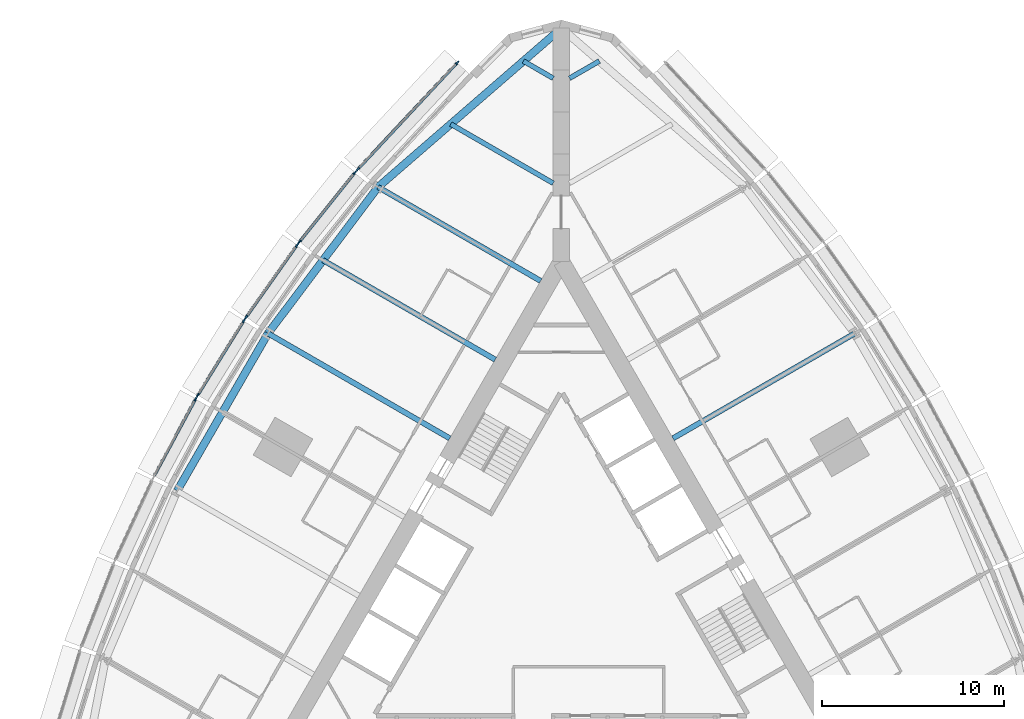
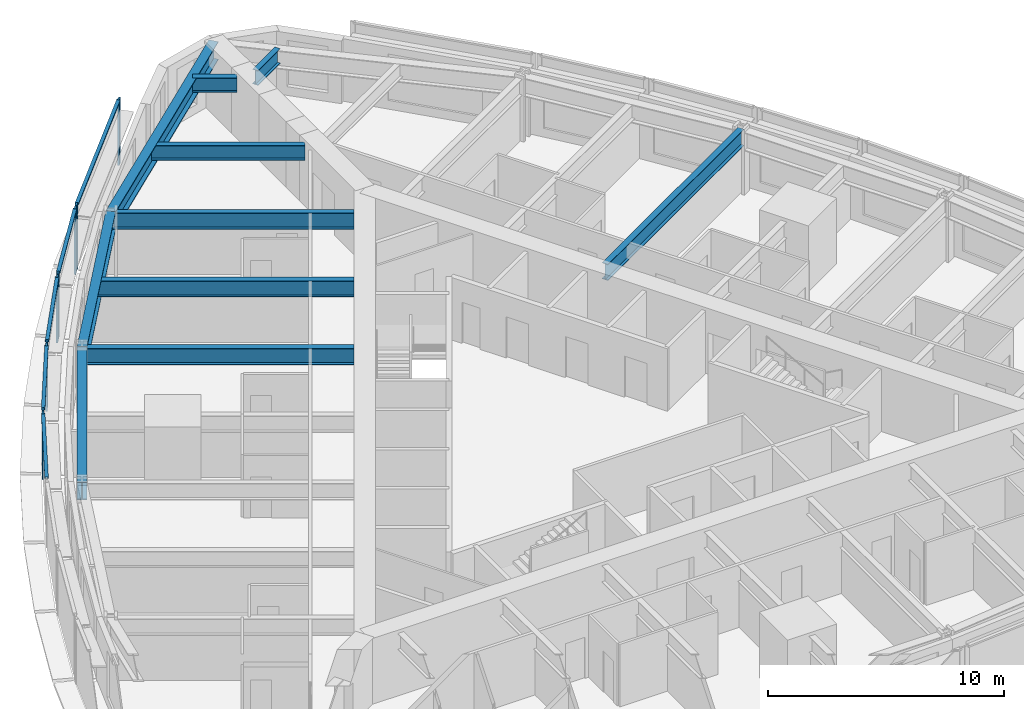
# One storey, part 4 of 14: 14 members, 10 beams, 5 elements without a shape of their own.
"""IFC4 building model written with IfcOpenShell, lengths in metres."""

from ifc_helpers import new_model, si_unit, direction, frame, origin, origin_2d, place, context, subcontext, project, spatial, rectangle, i_section, extrude, material, material_profile, profile_set, type_object, element, aggregate, save


model = new_model("IFC4")

# Units and contexts
model_context = context("Model", 3, precision=1e-05, world=origin(), true_north=direction((0.0, 1.0)))
body_context = subcontext(model_context, "Body", "Model", "MODEL_VIEW")
ifc_project = project(units=[si_unit("LENGTHUNIT", "METRE"), si_unit("AREAUNIT", "SQUARE_METRE"), si_unit("VOLUMEUNIT", "CUBIC_METRE"), si_unit("PLANEANGLEUNIT", "RADIAN"), si_unit("MASSUNIT", "GRAM", prefix="KILO")], contexts=[model_context])

# Site, building, storey
site_placement = place(None, origin())
site = spatial("IfcSite", under=ifc_project, at=site_placement, CompositionType="ELEMENT")
building_placement = place(site_placement, origin())
building = spatial("IfcBuilding", under=site, at=building_placement, Name="Trikona Tower", CompositionType="ELEMENT")
storey_placement = place(building_placement, frame((0.0, 0.0, 35.300048828125)))
storey = spatial("IfcBuildingStorey", under=building, at=storey_placement, Name="L07", CompositionType="ELEMENT", Elevation=35.300048828125)

# Curtain wall, members
ifc_material_1 = material(Name="Aluminium curtain wall system", Category="aluminium")
curtain_wall_type = type_object("IfcCurtainWallType", Name="Curtain wall DS1", PredefinedType="NOTDEFINED", material=ifc_material_1)
curtain_wall_1_placement = place(storey_placement, origin())
curtain_wall_1 = element("IfcCurtainWall", 1, at=curtain_wall_1_placement, inside=storey, type_object=curtain_wall_type, Name="Curtain wall DS1 L07", PredefinedType="NOTDEFINED")
ifc_material_2 = material(Name="Aluminium mullion, pale anodised", Category="aluminium")
ifc_material_profile_1 = material_profile(ifc_material_2, rectangle(XDim=0.080078125, YDim=0.219970703125, at=origin_2d()), Name="MUL-DS1")
ifc_profile_set_1 = profile_set([ifc_material_profile_1], Name="Aluminium mullion, pale anodised")
member_type_1 = type_object("IfcMemberType", Name="Mullion DS1 80x220", PredefinedType="MULLION", material=ifc_profile_set_1)
member_1_placement = place(storey_placement, frame((-5.72607421875, 29.98583984375, 0.0), z_axis=(0.0, 0.0, 1.0), x_axis=(0.731076639405, -0.682295351967, 0.0)))
member_1 = element("IfcMember", 2, at=member_1_placement, type_object=member_type_1, Name="CW-DS1 mullion 1", PredefinedType="MULLION", context=body_context, shape_type="SweptSolid", body=[
    extrude(rectangle(XDim=0.080078125, YDim=0.219970703125, at=origin_2d()), origin(), (0.0, 0.0, 1.0), 3.39990234375),
])
member_2_placement = place(storey_placement, frame((-11.192138671875, 24.129150390625, 0.0), z_axis=(0.0, 0.0, 1.0), x_axis=(0.731076639405, -0.682295351967, 0.0)))
member_2 = element("IfcMember", 3, at=member_2_placement, type_object=member_type_1, Name="CW-DS1 mullion 2", PredefinedType="MULLION", context=body_context, shape_type="SweptSolid", body=[
    extrude(rectangle(XDim=0.080078125, YDim=0.219970703125, at=origin_2d()), origin(), (0.0, 0.0, 1.0), 3.39990234375),
])

curtain_wall_2_placement = place(storey_placement, origin())
curtain_wall_2 = element("IfcCurtainWall", 4, at=curtain_wall_2_placement, inside=storey, type_object=curtain_wall_type, Name="Curtain wall DS1 L07", PredefinedType="NOTDEFINED")
member_3_placement = place(storey_placement, frame((-11.36767578125, 23.926025390625, 0.0), z_axis=(0.0, 0.0, 1.0), x_axis=(0.780937959679, -0.624608599951, 0.0)))
member_3 = element("IfcMember", 5, at=member_3_placement, type_object=member_type_1, Name="CW-DS1 mullion 1", PredefinedType="MULLION", context=body_context, shape_type="SweptSolid", body=[
    extrude(rectangle(XDim=0.080078125, YDim=0.219970703125, at=origin_2d()), origin(), (0.0, 0.0, 1.0), 3.39990234375),
])
member_4_placement = place(storey_placement, frame((-14.40185546875, 20.13232421875, 0.0), z_axis=(0.0, 0.0, 1.0), x_axis=(0.780937959679, -0.624608599951, 0.0)))
member_4 = element("IfcMember", 6, at=member_4_placement, type_object=member_type_1, Name="CW-DS1 mullion 2", PredefinedType="MULLION", context=body_context, shape_type="SweptSolid", body=[
    extrude(rectangle(XDim=0.080078125, YDim=0.219970703125, at=origin_2d()), origin(), (0.0, 0.0, 1.0), 3.39990234375),
])

curtain_wall_3_placement = place(storey_placement, origin())
curtain_wall_3 = element("IfcCurtainWall", 7, at=curtain_wall_3_placement, inside=storey, type_object=curtain_wall_type, Name="Curtain wall DS1 L07", PredefinedType="NOTDEFINED")
member_5_placement = place(storey_placement, frame((-14.554443359375, 19.929443359375, 0.0), z_axis=(0.0, 0.0, 1.0), x_axis=(0.816985393055, -0.576658362928, 0.0)))
member_5 = element("IfcMember", 8, at=member_5_placement, type_object=member_type_1, Name="CW-DS1 mullion 1", PredefinedType="MULLION", context=body_context, shape_type="SweptSolid", body=[
    extrude(rectangle(XDim=0.080078125, YDim=0.219970703125, at=origin_2d()), origin(), (0.0, 0.0, 1.0), 3.39990234375),
])
member_6_placement = place(storey_placement, frame((-17.33447265625, 15.990966796875, 0.0), z_axis=(0.0, 0.0, 1.0), x_axis=(0.816985393055, -0.576658362928, 0.0)))
member_6 = element("IfcMember", 9, at=member_6_placement, type_object=member_type_1, Name="CW-DS1 mullion 2", PredefinedType="MULLION", context=body_context, shape_type="SweptSolid", body=[
    extrude(rectangle(XDim=0.080078125, YDim=0.219970703125, at=origin_2d()), origin(), (0.0, 0.0, 1.0), 3.39990234375),
])

curtain_wall_4_placement = place(storey_placement, origin())
curtain_wall_4 = element("IfcCurtainWall", 10, at=curtain_wall_4_placement, inside=storey, type_object=curtain_wall_type, Name="Curtain wall DS1 L07", PredefinedType="NOTDEFINED")
member_7_placement = place(storey_placement, frame((-17.474853515625, 15.77880859375, 0.0), z_axis=(0.0, 0.0, 1.0), x_axis=(0.850410468941, -0.526119790842, 0.0)))
member_7 = element("IfcMember", 11, at=member_7_placement, type_object=member_type_1, Name="CW-DS1 mullion 1", PredefinedType="MULLION", context=body_context, shape_type="SweptSolid", body=[
    extrude(rectangle(XDim=0.080078125, YDim=0.219970703125, at=origin_2d()), origin(), (0.0, 0.0, 1.0), 3.39990234375),
])
member_8_placement = place(storey_placement, frame((-20.00146484375, 11.69482421875, 0.0), z_axis=(0.0, 0.0, 1.0), x_axis=(0.850410468941, -0.526119790842, 0.0)))
member_8 = element("IfcMember", 12, at=member_8_placement, type_object=member_type_1, Name="CW-DS1 mullion 2", PredefinedType="MULLION", context=body_context, shape_type="SweptSolid", body=[
    extrude(rectangle(XDim=0.080078125, YDim=0.219970703125, at=origin_2d()), origin(), (0.0, 0.0, 1.0), 3.39990234375),
])

# Curtain wall, member
curtain_wall_5_placement = place(storey_placement, origin())
curtain_wall_5 = element("IfcCurtainWall", 13, at=curtain_wall_5_placement, inside=storey, type_object=curtain_wall_type, Name="Curtain wall DS1 L07", PredefinedType="NOTDEFINED")
member_9_placement = place(storey_placement, frame((-20.128662109375, 11.474365234375, 0.0), z_axis=(0.0, 0.0, 1.0), x_axis=(0.880843080975, -0.473408350896, 0.0)))
member_9 = element("IfcMember", 14, at=member_9_placement, type_object=member_type_1, Name="CW-DS1 mullion 1", PredefinedType="MULLION", context=body_context, shape_type="SweptSolid", body=[
    extrude(rectangle(XDim=0.080078125, YDim=0.219970703125, at=origin_2d()), origin(), (0.0, 0.0, 1.0), 3.39990234375),
])

# Beams
ifc_material_3 = material(Name="Steel ASTM A992 Grade 50", Category="steel")
ifc_material_profile_2 = material_profile(ifc_material_3, i_section(OverallWidth=0.2666015625, OverallDepth=0.76953125, WebThickness=0.015625, FlangeThickness=0.025390625, at=origin_2d()), Name="W30X132")
ifc_profile_set_2 = profile_set([ifc_material_profile_2], Name="Steel ASTM A992 Grade 50")
beam_type_1 = type_object("IfcBeamType", Name="Steel beam W30x132 (wedge)", PredefinedType="BEAM", material=ifc_profile_set_2)
for number, where, z_axis, x_axis, name in (
    (15, (0.449951171875, 29.127197265625, 2.85009765625), (0.866009237431, 0.5000279999, 0.0), (-0.5000279999, 0.866009237431, 0.0), "Floor beam L08 F2 u25"),
    (16, (-0.449951171875, 29.127197265625, 2.85009765625), (-0.866009237431, 0.5000279999, 0.0), (-0.5000279999, -0.866009237431, 0.0), "Floor beam L08 F3 u-25"),
):
    element("IfcBeam", number, at=place(storey_placement, frame(where, z_axis=z_axis, x_axis=x_axis)), inside=storey, type_object=beam_type_1, Name=name, PredefinedType="BEAM", context=body_context, shape_type="SweptSolid", body=[
        extrude(i_section(OverallWidth=0.2666015625, OverallDepth=0.76953125, WebThickness=0.015625, FlangeThickness=0.025390625, at=origin_2d()), origin(), (0.0, 0.0, 1.0), 1.890625),
    ])
beam_1_placement = place(storey_placement, frame((-0.449951171875, 23.353759765625, 2.85009765625), z_axis=(-0.866022504693, 0.50000502134, 0.0), x_axis=(-0.50000502134, -0.866022504693, 0.0)))
element("IfcBeam", 17, at=beam_1_placement, inside=storey, type_object=beam_type_1, Name="Floor beam L08 F3 u-20", PredefinedType="BEAM", context=body_context, shape_type="SweptSolid", body=[
    extrude(i_section(OverallWidth=0.2666015625, OverallDepth=0.76953125, WebThickness=0.015625, FlangeThickness=0.025390625, at=origin_2d()), origin(), (0.0, 0.0, 1.0), 6.5068359375),
])
ifc_material_4 = material(Name="Steel ASTM A992 Grade 50", Category="steel")
ifc_material_profile_3 = material_profile(ifc_material_4, i_section(OverallWidth=0.2919921875, OverallDepth=0.845703125, WebThickness=0.015380859375, FlangeThickness=0.0244140625, at=origin_2d()), Name="W33X141")
ifc_profile_set_3 = profile_set([ifc_material_profile_3], Name="Steel ASTM A992 Grade 50")
beam_type_2 = type_object("IfcBeamType", Name="Steel beam W33x141 (radial typ)", PredefinedType="BEAM", material=ifc_profile_set_3)
beam_2_placement = place(storey_placement, frame((6.1396484375, 9.318359375, 2.81201171875), z_axis=(0.866029923217, 0.499992172032, 0.0), x_axis=(-0.499992172032, 0.866029923217, 0.0)))
element("IfcBeam", 18, at=beam_2_placement, inside=storey, type_object=beam_type_2, Name="Floor beam L08 F2 u5", PredefinedType="BEAM", context=body_context, shape_type="SweptSolid", body=[
    extrude(i_section(OverallWidth=0.2919921875, OverallDepth=0.845703125, WebThickness=0.015380859375, FlangeThickness=0.0244140625, at=origin_2d()), origin(), (0.0, 0.0, 1.0), 11.544189453125),
])
beam_3_placement = place(storey_placement, frame((-1.1396484375, 17.978515625, 2.81201171875), z_axis=(-0.866030471684, 0.499991222037, 0.0), x_axis=(-0.499991222037, -0.866030471684, 0.0)))
element("IfcBeam", 19, at=beam_3_placement, inside=storey, type_object=beam_type_2, Name="Floor beam L08 F3 u-15", PredefinedType="BEAM", context=body_context, shape_type="SweptSolid", body=[
    extrude(i_section(OverallWidth=0.2919921875, OverallDepth=0.845703125, WebThickness=0.015380859375, FlangeThickness=0.0244140625, at=origin_2d()), origin(), (0.0, 0.0, 1.0), 10.326904296875),
])
beam_4_placement = place(storey_placement, frame((-3.6396484375, 13.6484375, 2.81201171875), z_axis=(-0.866025348605, 0.500000095573, 0.0), x_axis=(-0.500000095573, -0.866025348605, 0.0)))
element("IfcBeam", 20, at=beam_4_placement, inside=storey, type_object=beam_type_2, Name="Floor beam L08 F3 u-10", PredefinedType="BEAM", context=body_context, shape_type="SweptSolid", body=[
    extrude(i_section(OverallWidth=0.2919921875, OverallDepth=0.845703125, WebThickness=0.015380859375, FlangeThickness=0.0244140625, at=origin_2d()), origin(), (0.0, 0.0, 1.0), 10.935546875),
])
beam_5_placement = place(storey_placement, frame((-6.1396484375, 9.318359375, 2.81201171875), z_axis=(-0.866029923217, 0.499992172032, 0.0), x_axis=(-0.499992172032, -0.866029923217, 0.0)))
element("IfcBeam", 21, at=beam_5_placement, inside=storey, type_object=beam_type_2, Name="Floor beam L08 F3 u-5", PredefinedType="BEAM", context=body_context, shape_type="SweptSolid", body=[
    extrude(i_section(OverallWidth=0.2919921875, OverallDepth=0.845703125, WebThickness=0.015380859375, FlangeThickness=0.0244140625, at=origin_2d()), origin(), (0.0, 0.0, 1.0), 11.544189453125),
])
ifc_material_5 = material(Name="Steel ASTM A992 Grade 50", Category="steel")
ifc_material_profile_4 = material_profile(ifc_material_5, i_section(OverallWidth=0.424072265625, OverallDepth=0.947509765625, WebThickness=0.02392578125, FlangeThickness=0.042724609375, at=origin_2d()), Name="W36X302")
ifc_profile_set_4 = profile_set([ifc_material_profile_4], Name="Steel ASTM A992 Grade 50")
beam_type_3 = type_object("IfcBeamType", Name="Steel beam W36x302 (spandrel)", PredefinedType="SPANDREL", material=ifc_profile_set_4)
beam_6_placement = place(storey_placement, frame((0.0, 31.881591796875, 2.76123046875), z_axis=(-0.755646822726, -0.654979296851, 0.0), x_axis=(0.654979296851, -0.755646822726, 0.0)))
element("IfcBeam", 22, at=beam_6_placement, inside=storey, type_object=beam_type_3, Name="Spandrel beam L08 F3-1", PredefinedType="SPANDREL", context=body_context, shape_type="SweptSolid", body=[
    extrude(i_section(OverallWidth=0.424072265625, OverallDepth=0.947509765625, WebThickness=0.02392578125, FlangeThickness=0.042724609375, at=origin_2d()), origin(), (0.0, 0.0, 1.0), 13.343505859375),
])
beam_7_placement = place(storey_placement, frame((-10.0830078125, 23.141845703125, 2.76123046875), z_axis=(-0.600988344191, -0.799257787042, 0.0), x_axis=(0.799257787042, -0.600988344191, 0.0)))
element("IfcBeam", 23, at=beam_7_placement, inside=storey, type_object=beam_type_3, Name="Spandrel beam L08 F3-2", PredefinedType="SPANDREL", context=body_context, shape_type="SweptSolid", body=[
    extrude(i_section(OverallWidth=0.424072265625, OverallDepth=0.947509765625, WebThickness=0.02392578125, FlangeThickness=0.042724609375, at=origin_2d()), origin(), (0.0, 0.0, 1.0), 10.07373046875),
])
beam_8_placement = place(storey_placement, frame((-16.13720703125, 15.09033203125, 2.76123046875), z_axis=(-0.500004234368, -0.866022959057, 0.0), x_axis=(0.866022959057, -0.500004234368, 0.0)))
element("IfcBeam", 24, at=beam_8_placement, inside=storey, type_object=beam_type_3, Name="Spandrel beam L08 F3-3", PredefinedType="SPANDREL", context=body_context, shape_type="SweptSolid", body=[
    extrude(i_section(OverallWidth=0.424072265625, OverallDepth=0.947509765625, WebThickness=0.02392578125, FlangeThickness=0.042724609375, at=origin_2d()), origin(), (0.0, 0.0, 1.0), 10.0),
])

# Member
ifc_material_6 = material(Name="Aluminium transom, pale anodised", Category="aluminium")
ifc_material_profile_5 = material_profile(ifc_material_6, rectangle(XDim=0.159912109375, YDim=0.080078125, at=origin_2d()), Name="TRN-DS1")
ifc_profile_set_5 = profile_set([ifc_material_profile_5], Name="Aluminium transom, pale anodised")
member_type_2 = type_object("IfcMemberType", Name="Transom DS1 80x160", PredefinedType="USERDEFINED", material=ifc_profile_set_5)
member_10_placement = place(storey_placement, frame((-5.75341796875, 29.95654296875, 3.35986328125), z_axis=(-0.682290830921, -0.731080858758, 0.0), x_axis=(0.731080858758, -0.682290830921, 0.0)))
member_10 = element("IfcMember", 25, at=member_10_placement, type_object=member_type_2, Name="CW-DS1 transom 1.1", ObjectType="TRANSOM", PredefinedType="USERDEFINED", context=body_context, shape_type="SweptSolid", body=[
    extrude(rectangle(XDim=0.159912109375, YDim=0.080078125, at=origin_2d()), origin(), (0.0, 0.0, 1.0), 7.93115234375),
])

aggregate(curtain_wall_1, [member_1, member_2, member_10])

member_11_placement = place(storey_placement, frame((-11.392822265625, 23.894775390625, 3.35986328125), z_axis=(-0.624589103832, -0.780953552636, 0.0), x_axis=(0.780953552636, -0.624589103832, 0.0)))
member_11 = element("IfcMember", 26, at=member_11_placement, type_object=member_type_2, Name="CW-DS1 transom 1.1", ObjectType="TRANSOM", PredefinedType="USERDEFINED", context=body_context, shape_type="SweptSolid", body=[
    extrude(rectangle(XDim=0.159912109375, YDim=0.080078125, at=origin_2d()), origin(), (0.0, 0.0, 1.0), 4.77783203125),
])

aggregate(curtain_wall_2, [member_3, member_4, member_11])

member_12_placement = place(storey_placement, frame((-14.57763671875, 19.896728515625, 3.35986328125), z_axis=(-0.57664478015, -0.816994980111, 0.0), x_axis=(0.816994980111, -0.57664478015, 0.0)))
member_12 = element("IfcMember", 27, at=member_12_placement, type_object=member_type_2, Name="CW-DS1 transom 1.1", ObjectType="TRANSOM", PredefinedType="USERDEFINED", context=body_context, shape_type="SweptSolid", body=[
    extrude(rectangle(XDim=0.159912109375, YDim=0.080078125, at=origin_2d()), origin(), (0.0, 0.0, 1.0), 4.740478515625),
])

aggregate(curtain_wall_3, [member_5, member_6, member_12])

member_13_placement = place(storey_placement, frame((-17.495849609375, 15.744873046875, 3.35986328125), z_axis=(-0.526080502257, -0.850434774186, 0.0), x_axis=(0.850434774186, -0.526080502257, 0.0)))
member_13 = element("IfcMember", 28, at=member_13_placement, type_object=member_type_2, Name="CW-DS1 transom 1.1", ObjectType="TRANSOM", PredefinedType="USERDEFINED", context=body_context, shape_type="SweptSolid", body=[
    extrude(rectangle(XDim=0.159912109375, YDim=0.080078125, at=origin_2d()), origin(), (0.0, 0.0, 1.0), 4.722412109375),
])

aggregate(curtain_wall_4, [member_7, member_8, member_13])

member_14_placement = place(storey_placement, frame((-20.147705078125, 11.43896484375, 3.35986328125), z_axis=(-0.473427569755, -0.880832751546, 0.0), x_axis=(0.880832751546, -0.473427569755, 0.0)))
member_14 = element("IfcMember", 29, at=member_14_placement, type_object=member_type_2, Name="CW-DS1 transom 1.1", ObjectType="TRANSOM", PredefinedType="USERDEFINED", context=body_context, shape_type="SweptSolid", body=[
    extrude(rectangle(XDim=0.159912109375, YDim=0.080078125, at=origin_2d()), origin(), (0.0, 0.0, 1.0), 4.72216796875),
])

aggregate(curtain_wall_5, [member_9, member_14])

save(model, "model.ifc")
